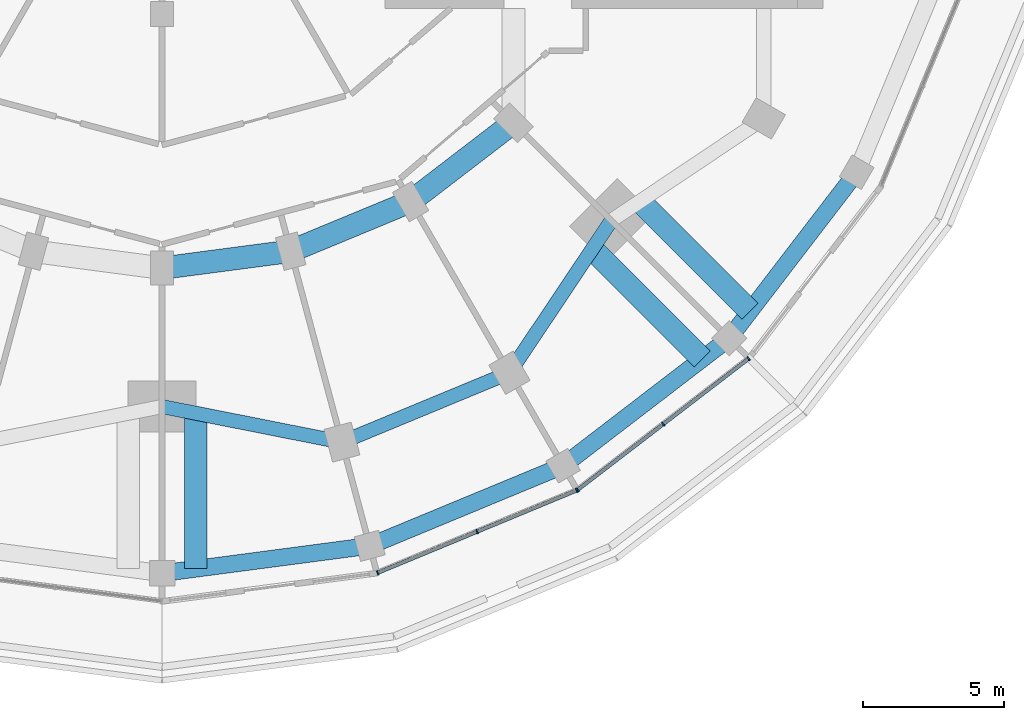
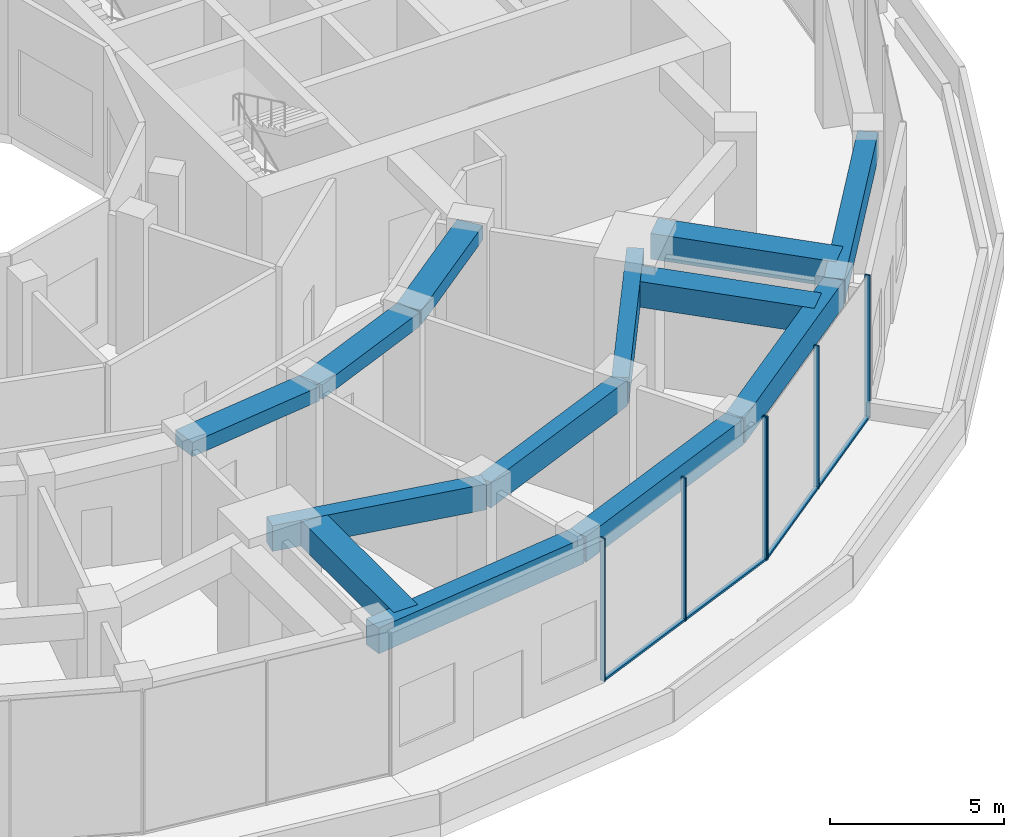
# One storey, part 4 of 19: 13 beams, 10 members, 2 elements without a shape of their own.
"""IFC4 building model written with IfcOpenShell, lengths in metres."""

from ifc_helpers import new_model, si_unit, direction, frame, origin, origin_2d, place, context, subcontext, project, spatial, rectangle, extrude, material, layer, layer_set, material_profile, profile_set, type_object, element, aggregate, save


model = new_model("IFC4")

# Units and contexts
model_context = context("Model", 3, precision=1e-05, world=origin(), true_north=direction((0.0, 1.0)))
body_context = subcontext(model_context, "Body", "Model", "MODEL_VIEW")
ifc_project = project(units=[si_unit("LENGTHUNIT", "METRE"), si_unit("AREAUNIT", "SQUARE_METRE"), si_unit("VOLUMEUNIT", "CUBIC_METRE"), si_unit("PLANEANGLEUNIT", "RADIAN"), si_unit("MASSUNIT", "GRAM", prefix="KILO")], contexts=[model_context])

# Site, building, storey
site_placement = place(None, origin())
site = spatial("IfcSite", under=ifc_project, at=site_placement, CompositionType="ELEMENT")
building_placement = place(site_placement, origin())
building = spatial("IfcBuilding", under=site, at=building_placement, Name="Torre Brocal", CompositionType="ELEMENT")
storey_placement = place(building_placement, frame((0.0, 0.0, 23.800048828125)))
storey = spatial("IfcBuildingStorey", under=building, at=storey_placement, Name="L04", CompositionType="ELEMENT", Elevation=23.800048828125)

# Curtain wall, members
ifc_material_1 = material(Name="Aluminium and glass", Category="aluminium")
ifc_layer = layer(ifc_material_1, 0.199951171875)
ifc_layer_set = layer_set([ifc_layer], Name="Aluminium and glass")
curtain_wall_type = type_object("IfcCurtainWallType", Name="CW-6 CURTAIN WALL 5000 HIGH", PredefinedType="NOTDEFINED", material=ifc_layer_set)
curtain_wall_1_placement = place(storey_placement, origin())
curtain_wall_1 = element("IfcCurtainWall", 1, at=curtain_wall_1_placement, inside=storey, type_object=curtain_wall_type, Name="CW-6 RUN 20", PredefinedType="NOTDEFINED")
ifc_material_2 = material(Name="Aluminium, dark anodised", Category="aluminium")
ifc_material_profile_1 = material_profile(ifc_material_2, rectangle(XDim=0.159912109375, YDim=0.050048828125, at=origin_2d()), Name="CW-6 MULLION 50X160")
ifc_profile_set_1 = profile_set([ifc_material_profile_1], Name="Aluminium, dark anodised")
member_type_1 = type_object("IfcMemberType", Name="CW-6 MULLION 50X160", PredefinedType="MULLION", material=ifc_profile_set_1)
member_1_placement = place(storey_placement, frame((87.632080078125, 46.612060546875, 0.0), z_axis=(0.0, 0.0, 1.0), x_axis=(-0.382683432365, 0.923879532511, 0.0)))
member_1 = element("IfcMember", 2, at=member_1_placement, type_object=member_type_1, Name="CW6-3 mullion 1", PredefinedType="MULLION", context=body_context, shape_type="SweptSolid", body=[
    extrude(rectangle(XDim=0.159912109375, YDim=0.050048828125, at=origin_2d()), origin(), (0.0, 0.0, 1.0), 5.0),
])
member_2_placement = place(storey_placement, frame((91.154296875, 48.071044921875, 0.0), z_axis=(0.0, 0.0, 1.0), x_axis=(-0.382683432365, 0.923879532511, 0.0)))
member_2 = element("IfcMember", 3, at=member_2_placement, type_object=member_type_1, Name="CW6-3 mullion 2", PredefinedType="MULLION", context=body_context, shape_type="SweptSolid", body=[
    extrude(rectangle(XDim=0.159912109375, YDim=0.050048828125, at=origin_2d()), origin(), (0.0, 0.0, 1.0), 5.0),
])
member_3_placement = place(storey_placement, frame((94.676513671875, 49.530029296875, 0.0), z_axis=(0.0, 0.0, 1.0), x_axis=(-0.382683432365, 0.923879532511, 0.0)))
member_3 = element("IfcMember", 4, at=member_3_placement, type_object=member_type_1, Name="CW6-3 mullion 3", PredefinedType="MULLION", context=body_context, shape_type="SweptSolid", body=[
    extrude(rectangle(XDim=0.159912109375, YDim=0.050048828125, at=origin_2d()), origin(), (0.0, 0.0, 1.0), 5.0),
])

curtain_wall_2_placement = place(storey_placement, origin())
curtain_wall_2 = element("IfcCurtainWall", 5, at=curtain_wall_2_placement, inside=storey, type_object=curtain_wall_type, Name="CW-6 RUN 21", PredefinedType="NOTDEFINED")
member_4_placement = place(storey_placement, frame((94.719482421875, 49.554931640625, 0.0), z_axis=(0.0, 0.0, 1.0), x_axis=(-0.608761429009, 0.793353340291, 0.0)))
member_4 = element("IfcMember", 6, at=member_4_placement, type_object=member_type_1, Name="CW6-3 mullion 1", PredefinedType="MULLION", context=body_context, shape_type="SweptSolid", body=[
    extrude(rectangle(XDim=0.159912109375, YDim=0.050048828125, at=origin_2d()), origin(), (0.0, 0.0, 1.0), 5.0),
])
member_5_placement = place(storey_placement, frame((97.743896484375, 51.875732421875, 0.0), z_axis=(0.0, 0.0, 1.0), x_axis=(-0.608761429009, 0.793353340291, 0.0)))
member_5 = element("IfcMember", 7, at=member_5_placement, type_object=member_type_1, Name="CW6-3 mullion 2", PredefinedType="MULLION", context=body_context, shape_type="SweptSolid", body=[
    extrude(rectangle(XDim=0.159912109375, YDim=0.050048828125, at=origin_2d()), origin(), (0.0, 0.0, 1.0), 5.0),
])
member_6_placement = place(storey_placement, frame((100.7685546875, 54.196533203125, 0.0), z_axis=(0.0, 0.0, 1.0), x_axis=(-0.608761429009, 0.793353340291, 0.0)))
member_6 = element("IfcMember", 8, at=member_6_placement, type_object=member_type_1, Name="CW6-3 mullion 3", PredefinedType="MULLION", context=body_context, shape_type="SweptSolid", body=[
    extrude(rectangle(XDim=0.159912109375, YDim=0.050048828125, at=origin_2d()), origin(), (0.0, 0.0, 1.0), 5.0),
])

# Member
ifc_material_3 = material(Name="Aluminium, dark anodised", Category="aluminium")
ifc_material_profile_2 = material_profile(ifc_material_3, rectangle(XDim=0.1298828125, YDim=0.070068359375, at=origin_2d()), Name="CW-6 TRANSOM 130X70")
ifc_profile_set_2 = profile_set([ifc_material_profile_2], Name="Aluminium, dark anodised")
member_type_2 = type_object("IfcMemberType", Name="CW-6 TRANSOM 130X70", PredefinedType="USERDEFINED", material=ifc_profile_set_2)
member_7_placement = place(storey_placement, frame((87.6552734375, 46.621826171875, 0.034912109375), z_axis=(0.923883168677, 0.382674653767, 0.0), x_axis=(-0.382674653767, 0.923883168677, 0.0)))
member_7 = element("IfcMember", 9, at=member_7_placement, type_object=member_type_2, Name="CW6-3 transom 1.1", ObjectType="TRANSOM", PredefinedType="USERDEFINED", context=body_context, shape_type="SweptSolid", body=[
    extrude(rectangle(XDim=0.1298828125, YDim=0.070068359375, at=origin_2d()), origin(), (0.0, 0.0, 1.0), 3.76220703125),
])

member_8_placement = place(storey_placement, frame((91.177490234375, 48.08056640625, 0.034912109375), z_axis=(0.923860224844, 0.382730041872, 0.0), x_axis=(-0.382730041872, 0.923860224844, 0.0)))
member_8 = element("IfcMember", 10, at=member_8_placement, type_object=member_type_2, Name="CW6-3 transom 2.1", ObjectType="TRANSOM", PredefinedType="USERDEFINED", context=body_context, shape_type="SweptSolid", body=[
    extrude(rectangle(XDim=0.1298828125, YDim=0.070068359375, at=origin_2d()), origin(), (0.0, 0.0, 1.0), 3.76220703125),
])

aggregate(curtain_wall_1, [member_1, member_2, member_3, member_7, member_8])

member_9_placement = place(storey_placement, frame((94.7392578125, 49.570068359375, 0.034912109375), z_axis=(0.793363988163, 0.608747552181, 0.0), x_axis=(-0.608747552181, 0.793363988163, 0.0)))
member_9 = element("IfcMember", 11, at=member_9_placement, type_object=member_type_2, Name="CW6-3 transom 1.1", ObjectType="TRANSOM", PredefinedType="USERDEFINED", context=body_context, shape_type="SweptSolid", body=[
    extrude(rectangle(XDim=0.1298828125, YDim=0.070068359375, at=origin_2d()), origin(), (0.0, 0.0, 1.0), 3.76220703125),
])

member_10_placement = place(storey_placement, frame((97.763671875, 51.890869140625, 0.034912109375), z_axis=(0.793388033397, 0.608716213405, 0.0), x_axis=(-0.608716213405, 0.793388033397, 0.0)))
member_10 = element("IfcMember", 12, at=member_10_placement, type_object=member_type_2, Name="CW6-3 transom 2.1", ObjectType="TRANSOM", PredefinedType="USERDEFINED", context=body_context, shape_type="SweptSolid", body=[
    extrude(rectangle(XDim=0.1298828125, YDim=0.070068359375, at=origin_2d()), origin(), (0.0, 0.0, 1.0), 3.762451171875),
])

aggregate(curtain_wall_2, [member_4, member_5, member_6, member_9, member_10])

# Beams
ifc_material_4 = material(Name="Concrete C50", Category="concrete")
ifc_material_profile_3 = material_profile(ifc_material_4, rectangle(XDim=0.60009765625, YDim=0.89990234375, at=origin_2d()), Name="RC 600X900")
ifc_profile_set_3 = profile_set([ifc_material_profile_3], Name="Concrete C50")
beam_type_1 = type_object("IfcBeamType", Name="RC BEAM 600X900 C50 TOP 4680", PredefinedType="BEAM", material=ifc_profile_set_3)
beam_1_placement = place(storey_placement, frame((80.0, 46.60009765625, 4.22998046875), z_axis=(0.991447681208, 0.130504771669, 0.0), x_axis=(-0.130504771669, 0.991447681208, 0.0)))
element("IfcBeam", 13, at=beam_1_placement, inside=storey, type_object=beam_type_1, Name="Beam BT-16", PredefinedType="BEAM", context=body_context, shape_type="SweptSolid", body=[
    extrude(rectangle(XDim=0.60009765625, YDim=0.89990234375, at=origin_2d()), origin(), (0.0, 0.0, 1.0), 7.413818359375),
])
for number, where, z_axis, x_axis, name in (
    (14, (87.350341796875, 47.567626953125, 4.22998046875), (0.923881578151, 0.382678493716, 0.0), (-0.382678493716, 0.923881578151, 0.0), "Beam BT-16"),
    (15, (94.199951171875, 50.40478515625, 4.22998046875), (0.793344462579, 0.608772998493, 0.0), (-0.608772998493, 0.793344462579, 0.0), "Beam BT-16"),
    (16, (100.081787109375, 54.918212890625, 4.22998046875), (0.608772998493, 0.793344462579, 0.0), (-0.793344462579, 0.608772998493, 0.0), "Beam BT-16"),
):
    element("IfcBeam", number, at=place(storey_placement, frame(where, z_axis=z_axis, x_axis=x_axis)), inside=storey, type_object=beam_type_1, Name=name, PredefinedType="BEAM", context=body_context, shape_type="SweptSolid", body=[
        extrude(rectangle(XDim=0.60009765625, YDim=0.89990234375, at=origin_2d()), origin(), (0.0, 0.0, 1.0), 7.4140625),
    ])
ifc_material_5 = material(Name="Concrete C50", Category="concrete")
ifc_material_profile_4 = material_profile(ifc_material_5, rectangle(XDim=0.800048828125, YDim=0.5, at=origin_2d()), Name="RC 800X500")
ifc_profile_set_4 = profile_set([ifc_material_profile_4], Name="Concrete C50")
beam_type_2 = type_object("IfcBeamType", Name="RC BEAM 800X500 C50 TOP 4680", PredefinedType="BEAM", material=ifc_profile_set_4)
beam_2_placement = place(storey_placement, frame((80.0, 57.39990234375, 4.429931640625), z_axis=(0.991440544449, 0.130558978332, 0.0), x_axis=(-0.130558978332, 0.991440544449, 0.0)))
element("IfcBeam", 17, at=beam_2_placement, inside=storey, type_object=beam_type_2, Name="Beam BT-17", PredefinedType="BEAM", context=body_context, shape_type="SweptSolid", body=[
    extrude(rectangle(XDim=0.800048828125, YDim=0.5, at=origin_2d()), origin(), (0.0, 0.0, 1.0), 4.594482421875),
])
beam_3_placement = place(storey_placement, frame((84.55517578125, 57.999755859375, 4.429931640625), z_axis=(0.923878240166, 0.382686552348, 0.0), x_axis=(-0.382686552348, 0.923878240166, 0.0)))
element("IfcBeam", 18, at=beam_3_placement, inside=storey, type_object=beam_type_2, Name="Beam BT-17", PredefinedType="BEAM", context=body_context, shape_type="SweptSolid", body=[
    extrude(rectangle(XDim=0.800048828125, YDim=0.5, at=origin_2d()), origin(), (0.0, 0.0, 1.0), 4.5947265625),
])
beam_4_placement = place(storey_placement, frame((88.800048828125, 59.758056640625, 4.429931640625), z_axis=(0.793358265959, 0.6087550097, 0.0), x_axis=(-0.6087550097, 0.793358265959, 0.0)))
element("IfcBeam", 19, at=beam_4_placement, inside=storey, type_object=beam_type_2, Name="Beam BT-17", PredefinedType="BEAM", context=body_context, shape_type="SweptSolid", body=[
    extrude(rectangle(XDim=0.800048828125, YDim=0.5, at=origin_2d()), origin(), (0.0, 0.0, 1.0), 4.594482421875),
])
ifc_material_6 = material(Name="Concrete C50", Category="concrete")
ifc_material_profile_5 = material_profile(ifc_material_6, rectangle(XDim=0.800048828125, YDim=0.89990234375, at=origin_2d()), Name="RC 800X900")
ifc_profile_set_5 = profile_set([ifc_material_profile_5], Name="Concrete C50")
beam_type_3 = type_object("IfcBeamType", Name="RC BEAM 800X900 C50 TOP 4680", PredefinedType="BEAM", material=ifc_profile_set_5)
for number, where, z_axis, x_axis, name in (
    (20, (81.199951171875, 52.26220703125, 4.22998046875), (0.0, -1.0, 0.0), (1.0, 0.0, 0.0), "Beam BT-54"),
    (21, (95.2294921875, 58.073486328125, 4.22998046875), (0.707106781187, -0.707106781187, 0.0), (0.707106781187, 0.707106781187, 0.0), "Beam BT-54"),
    (22, (96.926513671875, 59.7705078125, 4.22998046875), (0.707106781187, -0.707106781187, 0.0), (0.707106781187, 0.707106781187, 0.0), "Beam BT-54"),
):
    element("IfcBeam", number, at=place(storey_placement, frame(where, z_axis=z_axis, x_axis=x_axis)), inside=storey, type_object=beam_type_3, Name=name, PredefinedType="BEAM", context=body_context, shape_type="SweptSolid", body=[
        extrude(rectangle(XDim=0.800048828125, YDim=0.89990234375, at=origin_2d()), origin(), (0.0, 0.0, 1.0), 5.504150390625),
    ])
ifc_material_7 = material(Name="Concrete C50", Category="concrete")
ifc_material_profile_6 = material_profile(ifc_material_7, rectangle(XDim=0.5, YDim=0.89990234375, at=origin_2d()), Name="RC 500X900")
ifc_profile_set_6 = profile_set([ifc_material_profile_6], Name="Concrete C50")
beam_type_4 = type_object("IfcBeamType", Name="RC SPANDREL BEAM 500X900 C50 TOP 4680", PredefinedType="SPANDREL", material=ifc_profile_set_6)
beam_5_placement = place(storey_placement, frame((80.0, 52.5, 4.22998046875), z_axis=(0.980924907484, -0.194387051723, 0.0), x_axis=(0.194387051723, 0.980924907484, 0.0)))
element("IfcBeam", 23, at=beam_5_placement, inside=storey, type_object=beam_type_4, Name="Beam BT-18", PredefinedType="SPANDREL", context=body_context, shape_type="SweptSolid", body=[
    extrude(rectangle(XDim=0.5, YDim=0.89990234375, at=origin_2d()), origin(), (0.0, 0.0, 1.0), 6.49072265625),
])
beam_6_placement = place(storey_placement, frame((86.366943359375, 51.23828125, 4.22998046875), z_axis=(0.923882462513, 0.382676358639, 0.0), x_axis=(-0.382676358639, 0.923882462513, 0.0)))
element("IfcBeam", 24, at=beam_6_placement, inside=storey, type_object=beam_type_4, Name="Beam BT-18", PredefinedType="SPANDREL", context=body_context, shape_type="SweptSolid", body=[
    extrude(rectangle(XDim=0.5, YDim=0.89990234375, at=origin_2d()), origin(), (0.0, 0.0, 1.0), 6.421875),
])
beam_7_placement = place(storey_placement, frame((92.300048828125, 53.69580078125, 4.22998046875), z_axis=(0.556157602282, 0.831076844476, 0.0), x_axis=(-0.831076844476, 0.556157602282, 0.0)))
element("IfcBeam", 25, at=beam_7_placement, inside=storey, type_object=beam_type_4, Name="Beam BT-18", PredefinedType="SPANDREL", context=body_context, shape_type="SweptSolid", body=[
    extrude(rectangle(XDim=0.5, YDim=0.89990234375, at=origin_2d()), origin(), (0.0, 0.0, 1.0), 6.49072265625),
])

save(model, "model.ifc")
